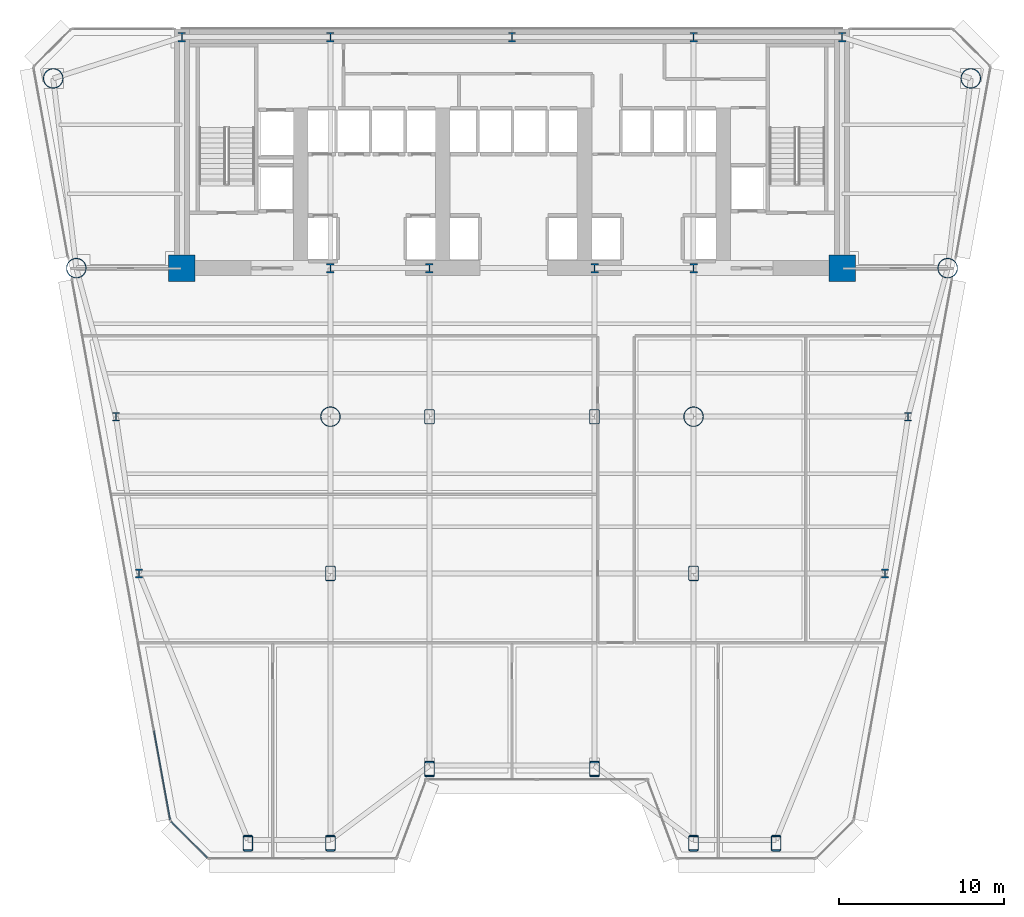
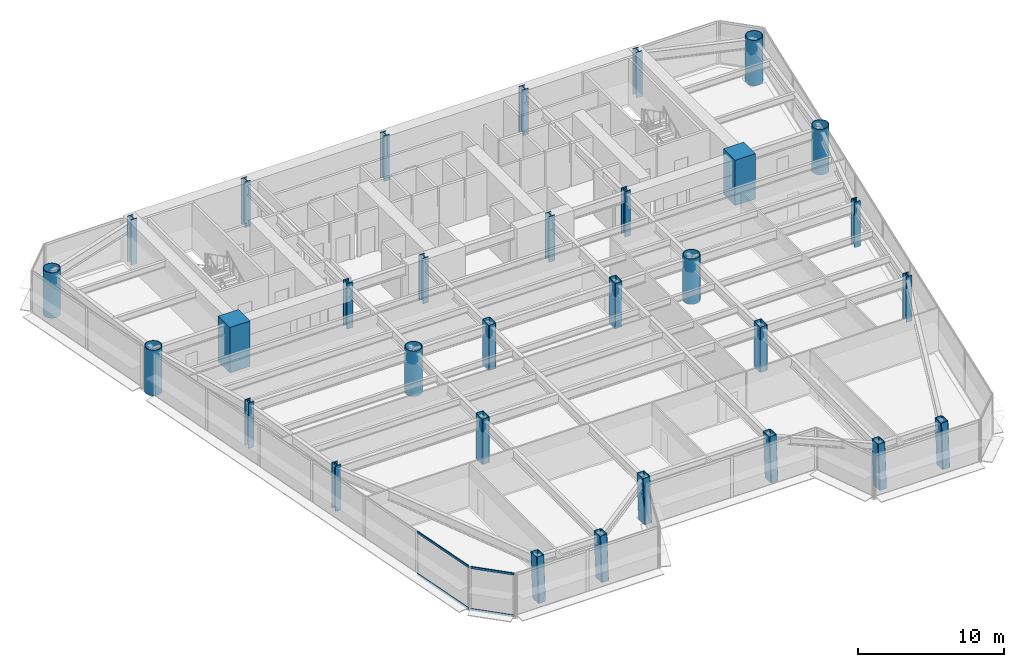
# One storey, part 1 of 14: 31 columns, 4 members, 2 elements without a shape of their own.
"""IFC4 building model written with IfcOpenShell, lengths in metres."""

from ifc_helpers import new_model, si_unit, direction, frame, origin, origin_2d, place, context, subcontext, project, spatial, rectangle, hollow_rectangle, hollow_circle, i_section, extrude, source, transform, mapped, material, layer, layer_set, material_profile, profile_set, type_object, element, aggregate, save


model = new_model("IFC4")

# Units and contexts
model_context = context("Model", 3, precision=1e-05, world=origin(), true_north=direction((0.0, 1.0)))
body_context = subcontext(model_context, "Body", "Model", "MODEL_VIEW")
ifc_project = project(units=[si_unit("LENGTHUNIT", "METRE"), si_unit("AREAUNIT", "SQUARE_METRE"), si_unit("VOLUMEUNIT", "CUBIC_METRE"), si_unit("PLANEANGLEUNIT", "RADIAN"), si_unit("MASSUNIT", "GRAM", prefix="KILO")], contexts=[model_context])

# Site, building, storey
site_placement = place(None, origin())
site = spatial("IfcSite", under=ifc_project, at=site_placement, CompositionType="ELEMENT")
building_placement = place(site_placement, origin())
building = spatial("IfcBuilding", under=site, at=building_placement, Name="Vaeldorn Concourse Tower", CompositionType="ELEMENT")
storey_placement = place(building_placement, frame((0.0, 0.0, 30.199951171875)))
storey = spatial("IfcBuildingStorey", under=building, at=storey_placement, Name="L07", CompositionType="ELEMENT", Elevation=30.199951171875)

# Columns
ifc_material_1 = material(Name="Concrete C60/75", Category="concrete")
ifc_material_profile_1 = material_profile(ifc_material_1, rectangle(XDim=1.60009765625, YDim=1.60009765625, at=origin_2d()), Name="RC 1600x1600")
ifc_profile_set_1 = profile_set([ifc_material_profile_1], Name="Concrete C60/75")
column_type_1 = type_object("IfcColumnType", Name="COL-RC1600", PredefinedType="COLUMN", material=ifc_profile_set_1)
shared_shape_1 = source(origin(), body_context, "Body", "SweptSolid", [
    extrude(rectangle(XDim=1.60009765625, YDim=1.60009765625, at=origin_2d()), origin(), (0.0, 0.0, 1.0), 3.800048828125),
])
for number, where, z_axis, x_axis, name in (
    (1, (14.0, 36.5, 0.0), (0.0, 0.0, 1.0), (1.0, 0.0, 0.0), "Column C-FC1 L07"),
    (2, (54.0, 36.5, 0.0), (0.0, 0.0, 1.0), (1.0, 0.0, 0.0), "Column C-FC6 L07"),
):
    element("IfcColumn", number, at=place(storey_placement, frame(where, z_axis=z_axis, x_axis=x_axis)), inside=storey, type_object=column_type_1, Name=name, PredefinedType="COLUMN", context=body_context, shape_type="MappedRepresentation", body=[
        mapped(shared_shape_1, transform((0.0, 0.0, 0.0), scale=1.0)),
    ])
ifc_material_2 = material(Name="Steel S460", Category="steel")
ifc_material_profile_2 = material_profile(ifc_material_2, i_section(OverallWidth=0.4541015625, OverallDepth=0.569091796875, WebThickness=0.077880859375, FlangeThickness=0.080078125, FilletRadius=0.014892578125, at=origin_2d()), Name="HD 400x1086")
ifc_profile_set_2 = profile_set([ifc_material_profile_2], Name="Steel S460")
column_type_2 = type_object("IfcColumnType", Name="COL-HD1086", PredefinedType="COLUMN", material=ifc_profile_set_2)
shared_shape_2 = source(origin(), body_context, "Body", "SweptSolid", [
    extrude(i_section(OverallWidth=0.4541015625, OverallDepth=0.569091796875, WebThickness=0.077880859375, FlangeThickness=0.080078125, FilletRadius=0.014892578125, at=origin_2d()), origin(), (0.0, 0.0, 1.0), 3.800048828125),
])
for number, where, z_axis, x_axis, name in (
    (3, (23.0, 36.5, 0.0), (0.0, 0.0, 1.0), (1.0, 0.0, 0.0), "Column C-FC2 L07"),
    (4, (29.0, 36.5, 0.0), (0.0, 0.0, 1.0), (1.0, 0.0, 0.0), "Column C-FC3 L07"),
    (5, (39.0, 36.5, 0.0), (0.0, 0.0, 1.0), (1.0, 0.0, 0.0), "Column C-FC4 L07"),
    (6, (45.0, 36.5, 0.0), (0.0, 0.0, 1.0), (1.0, 0.0, 0.0), "Column C-FC5 L07"),
    (7, (14.0, 50.5, 0.0), (0.0, 0.0, 1.0), (1.0, 0.0, 0.0), "Column C-HC1 L07"),
    (8, (23.0, 50.5, 0.0), (0.0, 0.0, 1.0), (1.0, 0.0, 0.0), "Column C-HC2 L07"),
    (9, (34.0, 50.5, 0.0), (0.0, 0.0, 1.0), (1.0, 0.0, 0.0), "Column C-HC3 L07"),
    (10, (45.0, 50.5, 0.0), (0.0, 0.0, 1.0), (1.0, 0.0, 0.0), "Column C-HC4 L07"),
    (11, (54.0, 50.5, 0.0), (0.0, 0.0, 1.0), (1.0, 0.0, 0.0), "Column C-HC5 L07"),
):
    element("IfcColumn", number, at=place(storey_placement, frame(where, z_axis=z_axis, x_axis=x_axis)), inside=storey, type_object=column_type_2, Name=name, PredefinedType="COLUMN", context=body_context, shape_type="MappedRepresentation", body=[
        mapped(shared_shape_2, transform((0.0, 0.0, 0.0), scale=1.0)),
    ])
ifc_material_profile_3 = material_profile(ifc_material_2, hollow_circle(Radius=0.609619140625, WallThickness=0.050048828125, at=origin_2d()), Name="CHS 1219x50")
ifc_profile_set_3 = profile_set([ifc_material_profile_3], Name="Steel S460")
column_type_3 = type_object("IfcColumnType", Name="COL-CHS1219", PredefinedType="COLUMN", material=ifc_profile_set_3)
shared_shape_3 = source(origin(), body_context, "Body", "SweptSolid", [
    extrude(hollow_circle(Radius=0.609619140625, WallThickness=0.050048828125, at=origin_2d()), origin(), (0.0, 0.0, 1.0), 3.800048828125),
])
for number, where, z_axis, x_axis, name in (
    (12, (6.199951171875, 48.0, 0.0), (0.0, 0.0, 1.0), (1.0, 0.0, 0.0), "Column C-NW1 L07"),
    (13, (7.60009765625, 36.5, 0.0), (0.0, 0.0, 1.0), (1.0, 0.0, 0.0), "Column C-NW2 L07"),
    (14, (61.800048828125, 48.0, 0.0), (0.0, 0.0, 1.0), (1.0, 0.0, 0.0), "Column C-NE1 L07"),
    (15, (60.39990234375, 36.5, 0.0), (0.0, 0.0, 1.0), (1.0, 0.0, 0.0), "Column C-NE2 L07"),
    (16, (23.0, 27.5, 0.0), (0.0, 0.0, 1.0), (1.0, 0.0, 0.0), "Column C-TW1 L07"),
    (17, (45.0, 27.5, 0.0), (0.0, 0.0, 1.0), (1.0, 0.0, 0.0), "Column C-TW4 L07"),
):
    element("IfcColumn", number, at=place(storey_placement, frame(where, z_axis=z_axis, x_axis=x_axis)), inside=storey, type_object=column_type_3, Name=name, PredefinedType="COLUMN", context=body_context, shape_type="MappedRepresentation", body=[
        mapped(shared_shape_3, transform((0.0, 0.0, 0.0), scale=1.0)),
    ])
ifc_material_profile_4 = material_profile(ifc_material_2, i_section(OverallWidth=0.44189453125, OverallDepth=0.531005859375, WebThickness=0.06494140625, FlangeThickness=0.075927734375, FilletRadius=0.014892578125, at=origin_2d()), Name="HD 400x900")
ifc_profile_set_4 = profile_set([ifc_material_profile_4], Name="Steel S460")
column_type_4 = type_object("IfcColumnType", Name="COL-HD900F", PredefinedType="COLUMN", material=ifc_profile_set_4)
shared_shape_4 = source(origin(), body_context, "Body", "SweptSolid", [
    extrude(i_section(OverallWidth=0.44189453125, OverallDepth=0.531005859375, WebThickness=0.06494140625, FlangeThickness=0.075927734375, FilletRadius=0.014892578125, at=origin_2d()), origin(), (0.0, 0.0, 1.0), 3.800048828125),
])
for number, where, z_axis, x_axis, name in (
    (18, (10.0, 27.5, 0.0), (0.0, 0.0, 1.0), (1.0, 0.0, 0.0), "Column C-FLW1 L07"),
    (19, (11.39990234375, 18.0, 0.0), (0.0, 0.0, 1.0), (1.0, 0.0, 0.0), "Column C-FLW2 L07"),
    (20, (58.0, 27.5, 0.0), (0.0, 0.0, 1.0), (1.0, 0.0, 0.0), "Column C-FLE1 L07"),
    (21, (56.60009765625, 18.0, 0.0), (0.0, 0.0, 1.0), (1.0, 0.0, 0.0), "Column C-FLE2 L07"),
):
    element("IfcColumn", number, at=place(storey_placement, frame(where, z_axis=z_axis, x_axis=x_axis)), inside=storey, type_object=column_type_4, Name=name, PredefinedType="COLUMN", context=body_context, shape_type="MappedRepresentation", body=[
        mapped(shared_shape_4, transform((0.0, 0.0, 0.0), scale=1.0)),
    ])
ifc_material_profile_5 = material_profile(ifc_material_2, hollow_rectangle(XDim=0.60009765625, YDim=0.89990234375, WallThickness=0.0400390625, InnerFilletRadius=0.0400390625, OuterFilletRadius=0.080078125, at=origin_2d()), Name="RHS 900x600x40")
ifc_profile_set_5 = profile_set([ifc_material_profile_5], Name="Steel S460")
column_type_5 = type_object("IfcColumnType", Name="COL-RHS900", PredefinedType="COLUMN", material=ifc_profile_set_5)
shared_shape_5 = source(origin(), body_context, "Body", "SweptSolid", [
    extrude(hollow_rectangle(XDim=0.60009765625, YDim=0.89990234375, WallThickness=0.0400390625, InnerFilletRadius=0.0400390625, OuterFilletRadius=0.080078125, at=origin_2d()), origin(), (0.0, 0.0, 1.0), 3.800048828125),
])
for number, where, z_axis, x_axis, name in (
    (22, (29.0, 27.5, 0.0), (0.0, 0.0, 1.0), (1.0, 0.0, 0.0), "Column C-TW2 L07"),
    (23, (39.0, 27.5, 0.0), (0.0, 0.0, 1.0), (1.0, 0.0, 0.0), "Column C-TW3 L07"),
    (24, (23.0, 18.0, 0.0), (0.0, 0.0, 1.0), (1.0, 0.0, 0.0), "Column C-TW5 L07"),
    (25, (45.0, 18.0, 0.0), (0.0, 0.0, 1.0), (1.0, 0.0, 0.0), "Column C-TW6 L07"),
):
    element("IfcColumn", number, at=place(storey_placement, frame(where, z_axis=z_axis, x_axis=x_axis)), inside=storey, type_object=column_type_5, Name=name, PredefinedType="COLUMN", context=body_context, shape_type="MappedRepresentation", body=[
        mapped(shared_shape_5, transform((0.0, 0.0, 0.0), scale=1.0)),
    ])
shared_shape_6 = source(origin(), body_context, "Body", "SweptSolid", [
    extrude(hollow_rectangle(XDim=0.60009765625, YDim=0.89990234375, WallThickness=0.0400390625, InnerFilletRadius=0.0400390625, OuterFilletRadius=0.080078125, at=origin_2d()), origin(), (0.0, 0.0, 1.0), 3.74365234375),
])
for number, where, z_axis, x_axis, name in (
    (26, (18.0, 1.6171875, 0.031982421875), (0.0, 0.063843869911, 0.997959899132), (-1.0, 0.0, 0.0), "Column C-SF1 L07"),
    (27, (23.0, 1.6171875, 0.031982421875), (0.0, 0.063843869911, 0.997959899132), (-1.0, 0.0, 0.0), "Column C-SF2 L07"),
    (28, (29.0, 6.1171875, 0.031982421875), (0.0, 0.063843869911, 0.997959899132), (-1.0, 0.0, 0.0), "Column C-SF3 L07"),
    (29, (39.0, 6.1171875, 0.031982421875), (0.0, 0.063843869911, 0.997959899132), (-1.0, 0.0, 0.0), "Column C-SF4 L07"),
    (30, (45.0, 1.6171875, 0.031982421875), (0.0, 0.063843869911, 0.997959899132), (-1.0, 0.0, 0.0), "Column C-SF5 L07"),
    (31, (50.0, 1.6171875, 0.031982421875), (0.0, 0.063843869911, 0.997959899132), (-1.0, 0.0, 0.0), "Column C-SF6 L07"),
):
    element("IfcColumn", number, at=place(storey_placement, frame(where, z_axis=z_axis, x_axis=x_axis)), inside=storey, type_object=column_type_5, Name=name, PredefinedType="COLUMN", context=body_context, shape_type="MappedRepresentation", body=[
        mapped(shared_shape_6, transform((0.0, 0.0, 0.0), scale=1.0)),
    ])

# Curtain wall, members
ifc_material_3 = material(Name="Anodised Bronze Aluminium", Category="aluminium")
ifc_layer = layer(ifc_material_3, 0.219970703125)
ifc_layer_set = layer_set([ifc_layer], Name="Anodised Bronze Aluminium")
curtain_wall_type = type_object("IfcCurtainWallType", Name="CW-SYS-01", PredefinedType="NOTDEFINED", material=ifc_layer_set)
curtain_wall_1_placement = place(storey_placement, origin())
curtain_wall_1 = element("IfcCurtainWall", 32, at=curtain_wall_1_placement, inside=storey, type_object=curtain_wall_type, Name="Unitised Curtain Wall CW-L07-E12-1", PredefinedType="NOTDEFINED")
ifc_material_profile_6 = material_profile(ifc_material_3, rectangle(XDim=0.074951171875, YDim=0.179931640625, at=origin_2d()), Name="CWT 75x180")
ifc_profile_set_6 = profile_set([ifc_material_profile_6], Name="Anodised Bronze Aluminium")
member_type = type_object("IfcMemberType", Name="CWT-BRONZE-180", PredefinedType="USERDEFINED", material=ifc_profile_set_6)
shared_shape_7 = source(origin(), body_context, "Body", "SweptSolid", [
    extrude(rectangle(XDim=0.074951171875, YDim=0.179931640625, at=origin_2d()), origin(), (0.0, 0.0, 1.0), 3.1025390625),
])
member_1_placement = place(storey_placement, frame((13.349853515625, 2.964111328125, 0.03759765625), z_axis=(0.707106781187, -0.707106781187, 0.0), x_axis=(0.707106781187, 0.707106781187, 0.0)))
member_1 = element("IfcMember", 33, at=member_1_placement, type_object=member_type, Name="CW-01 transom 1.1", ObjectType="TRANSOM", PredefinedType="USERDEFINED", context=body_context, shape_type="MappedRepresentation", body=[
    mapped(shared_shape_7, transform((0.0, 0.0, 0.0), scale=1.0)),
])
member_2_placement = place(storey_placement, frame((13.349853515625, 2.964111328125, 3.54248046875), z_axis=(0.707106781187, -0.707106781187, 0.0), x_axis=(0.707106781187, 0.707106781187, 0.0)))
member_2 = element("IfcMember", 34, at=member_2_placement, type_object=member_type, Name="CW-01 transom 1.2", ObjectType="TRANSOM", PredefinedType="USERDEFINED", context=body_context, shape_type="MappedRepresentation", body=[
    mapped(shared_shape_7, transform((0.0, 0.0, 0.0), scale=1.0)),
])
aggregate(curtain_wall_1, [member_1, member_2])

curtain_wall_2_placement = place(storey_placement, origin())
curtain_wall_2 = element("IfcCurtainWall", 35, at=curtain_wall_2_placement, inside=storey, type_object=curtain_wall_type, Name="Unitised Curtain Wall CW-L07-E11-2", PredefinedType="NOTDEFINED")
shared_shape_8 = source(origin(), body_context, "Body", "SweptSolid", [
    extrude(rectangle(XDim=0.074951171875, YDim=0.179931640625, at=origin_2d()), origin(), (0.0, 0.0, 1.0), 5.454345703125),
])
member_3_placement = place(storey_placement, frame((12.30859375, 8.45751953125, 0.03759765625), z_axis=(0.178688483382, -0.983905699702, 0.0), x_axis=(0.983905699702, 0.178688483382, 0.0)))
member_3 = element("IfcMember", 36, at=member_3_placement, type_object=member_type, Name="CW-01 transom 6.1", ObjectType="TRANSOM", PredefinedType="USERDEFINED", context=body_context, shape_type="MappedRepresentation", body=[
    mapped(shared_shape_8, transform((0.0, 0.0, 0.0), scale=1.0)),
])
member_4_placement = place(storey_placement, frame((12.30859375, 8.45751953125, 3.54248046875), z_axis=(0.178688483382, -0.983905699702, 0.0), x_axis=(0.983905699702, 0.178688483382, 0.0)))
member_4 = element("IfcMember", 37, at=member_4_placement, type_object=member_type, Name="CW-01 transom 6.2", ObjectType="TRANSOM", PredefinedType="USERDEFINED", context=body_context, shape_type="MappedRepresentation", body=[
    mapped(shared_shape_8, transform((0.0, 0.0, 0.0), scale=1.0)),
])
aggregate(curtain_wall_2, [member_3, member_4])

save(model, "model.ifc")
